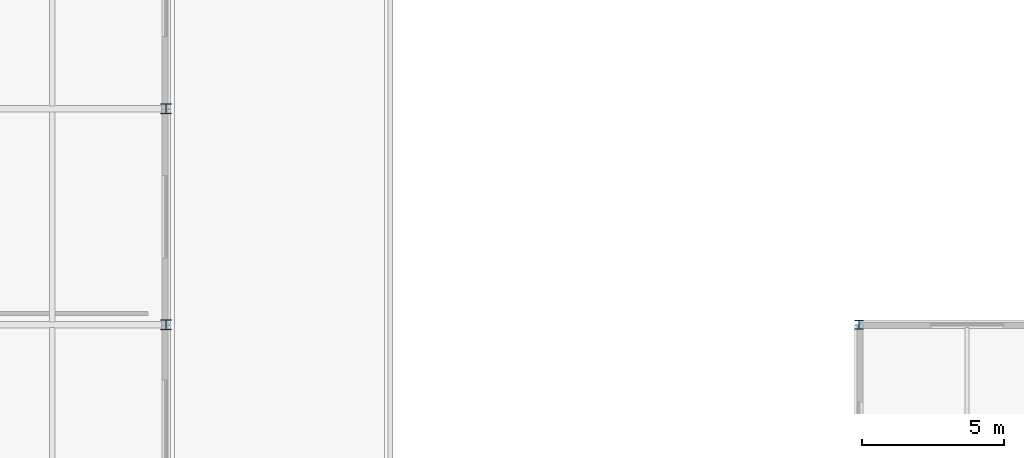
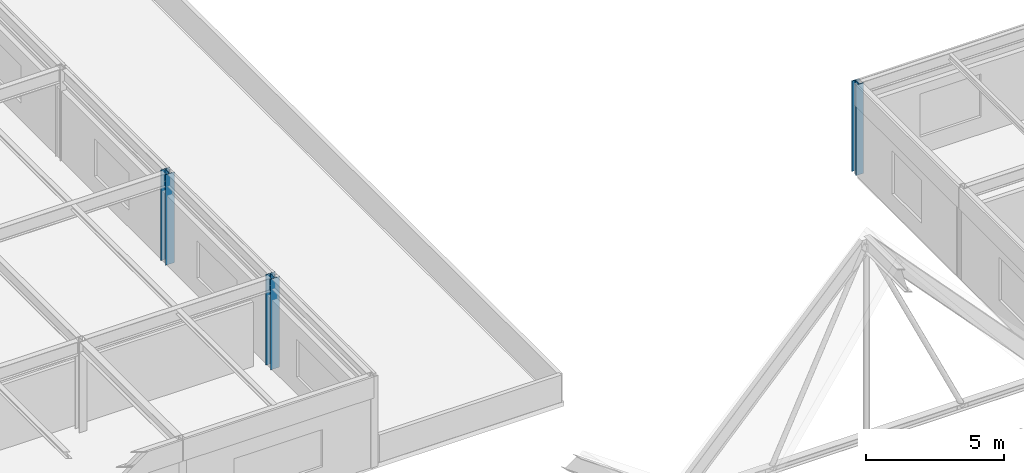
# One storey, part 10 of 85: 3 columns.
"""IFC4 building model written with IfcOpenShell, lengths in metres."""

import ifcopenshell
import ifcopenshell.guid

model = None  # the IFC model being written
_history = None  # IfcOwnerHistory: only IFC2X3 demands one
_inside = {}  # id of a spatial element -> (the spatial element, [elements in it])
_under = {}  # id of a project, library or spatial element -> (it, [spatial elements below it])
_declared = {}  # id of a project -> (the project, [libraries it declares])
_typed = {}  # id of a type object -> (the type object, [elements of that type])
_made_of = {}  # id of a material, layer set ... -> (it, [elements and type objects made of it])


def new_model(schema):
    """Start an empty IFC model of exactly this schema.

    Asked for "IFC4X3", IfcOpenShell would pick the latest addendum, in which some entities
    have other attributes; the version numbers below select the first issue.
    IFC2X3 requires an IfcOwnerHistory on every rooted entity: one is made here for all.
    """
    global model, _history
    if schema == "IFC4X3":
        model = ifcopenshell.file(schema_version=(4, 3, 0, 0))
    else:
        model = ifcopenshell.file(schema=schema)
    _inside.clear()
    _under.clear()
    _declared.clear()
    _typed.clear()
    _made_of.clear()
    _history = None
    if model.schema == "IFC2X3":
        org = make("IfcOrganization", Name="unknown")
        user = make(
            "IfcPersonAndOrganization",
            ThePerson=make("IfcPerson", FamilyName="unknown"),
            TheOrganization=org,
        )
        app = make(
            "IfcApplication",
            ApplicationDeveloper=org,
            Version="unknown",
            ApplicationFullName="unknown",
            ApplicationIdentifier="unknown",
        )
        _history = make(
            "IfcOwnerHistory",
            OwningUser=user,
            OwningApplication=app,
            ChangeAction="ADDED",
            CreationDate=0,
        )
    return model


def make(cls, **values):
    """One entity of the class cls with the attributes given. An attribute that is None is left unset."""
    return model.create_entity(
        cls, **{name: value for name, value in values.items() if value is not None}
    )


def rooted(cls, **values):
    """An entity with a GlobalId (a new one), such as an element, a storey or a relation."""
    return make(cls, GlobalId=ifcopenshell.guid.new(), OwnerHistory=_history, **values)


def si_unit(unit_type, name, prefix=None):
    """IfcSIUnit, for example si_unit("LENGTHUNIT", "METRE", prefix="MILLI")."""
    return make("IfcSIUnit", UnitType=unit_type, Prefix=prefix, Name=name)


def assignment(units):
    """IfcUnitAssignment: the units of a project."""
    return None if units is None else make("IfcUnitAssignment", Units=units)


def point(xyz):
    """IfcCartesianPoint."""
    return None if xyz is None else make("IfcCartesianPoint", Coordinates=xyz)


def direction(xyz):
    """IfcDirection."""
    return None if xyz is None else make("IfcDirection", DirectionRatios=xyz)


def frame(location, z_axis=None, x_axis=None):
    """IfcAxis2Placement3D, a coordinate frame: its origin and axes. An axis left out is left unset."""
    return make(
        "IfcAxis2Placement3D",
        Location=point(location),
        Axis=direction(z_axis),
        RefDirection=direction(x_axis),
    )


def frame_2d(location, x_axis=None):
    """IfcAxis2Placement2D, a coordinate frame in the plane: its origin and x axis."""
    return make(
        "IfcAxis2Placement2D", Location=point(location), RefDirection=direction(x_axis)
    )


def origin():
    """The frame at (0, 0, 0) with its axes left unset."""
    return frame((0.0, 0.0, 0.0))


def origin_2d():
    """The frame at (0, 0) in the plane with its x axis left unset."""
    return frame_2d((0.0, 0.0))


def place(relative_to, where):
    """IfcLocalPlacement: puts the frame where relative to a parent placement (None: the world)."""
    return make(
        "IfcLocalPlacement", PlacementRelTo=relative_to, RelativePlacement=where
    )


def context(
    kind, dimensions, precision=None, world=None, true_north=None, identifier=None
):
    """IfcGeometricRepresentationContext, for example the 3D "Model" context."""
    return make(
        "IfcGeometricRepresentationContext",
        ContextIdentifier=identifier,
        ContextType=kind,
        CoordinateSpaceDimension=dimensions,
        Precision=precision,
        WorldCoordinateSystem=world,
        TrueNorth=true_north,
    )


def subcontext(parent, identifier, kind, view, scale=None):
    """IfcGeometricRepresentationSubContext, for example "Body" below "Model"."""
    return make(
        "IfcGeometricRepresentationSubContext",
        ContextIdentifier=identifier,
        ContextType=kind,
        ParentContext=parent,
        TargetScale=scale,
        TargetView=view,
    )


def project(units=None, contexts=None):
    """IfcProject with its units and contexts."""
    return rooted(
        "IfcProject",
        Name="project",
        RepresentationContexts=contexts,
        UnitsInContext=assignment(units),
    )


def spatial(cls, under=None, at=None, **own):
    """A site, building, storey or space (cls), placed at a placement, below another one or the project."""
    s = rooted(cls, ObjectPlacement=at, **own)
    if under is not None:
        _under.setdefault(under.id(), (under, []))[1].append(s)
    return s


def profile(cls, at=None, kind="AREA", **sizes):
    """A parametric profile (cls). Its sizes go by their IFC names, for example OverallWidth=200.0."""
    return make(cls, ProfileType=kind, Position=at, **sizes)


def i_section(**sizes):
    """IfcIShapeProfileDef."""
    return profile("IfcIShapeProfileDef", **sizes)


def extrude(swept, where, along, depth):
    """IfcExtrudedAreaSolid: the profile swept, set in the frame where, extruded along a direction by depth."""
    return make(
        "IfcExtrudedAreaSolid",
        SweptArea=swept,
        Position=where,
        ExtrudedDirection=direction(along),
        Depth=depth,
    )


def shape(context_of_items, identifier, shape_type, items):
    """IfcShapeRepresentation: the items that make up one representation, for example the "Body"."""
    return make(
        "IfcShapeRepresentation",
        ContextOfItems=context_of_items,
        RepresentationIdentifier=identifier,
        RepresentationType=shape_type,
        Items=items,
    )


def material(Name=None, Category=None):
    """IfcMaterial."""
    return make("IfcMaterial", Name=Name, Category=Category)


def material_profile(
    of_material, cross_section, Name=None, Category=None, Priority=None
):
    """IfcMaterialProfile: a cross section and its material."""
    return make(
        "IfcMaterialProfile",
        Name=Name,
        Material=of_material,
        Profile=cross_section,
        Priority=Priority,
        Category=Category,
    )


def profile_set(profiles, Name=None, composite=None):
    """IfcMaterialProfileSet."""
    return make(
        "IfcMaterialProfileSet",
        Name=Name,
        MaterialProfiles=profiles,
        CompositeProfile=composite,
    )


def made_of(thing, what):
    """Note that an element or type object is made of a material, layer set ...; save() writes the relation."""
    if what is not None:
        _made_of.setdefault(what.id(), (what, []))[1].append(thing)
    return thing


def type_object(cls, material=None, **own):
    """A type object (cls), such as IfcWallType, which elements share."""
    return made_of(rooted(cls, **own), material)


def element(
    cls,
    number,
    at=None,
    inside=None,
    cuts=None,
    type_object=None,
    material=None,
    context=None,
    identifier="Body",
    shape_type=None,
    held_by="IfcProductDefinitionShape",
    body=None,
    shapes=None,
    **own,
):
    """One element of the class cls, such as IfcWall. Its Tag is "e" and its number.

    at: its placement. inside: the storey or other place that contains it. cuts: it is an
    opening in that element (IfcRelVoidsElement). A single representation is given by context,
    identifier, shape_type and body (its items); several are given by shapes. held_by: the class
    of the entity that holds the representations. save() writes the other relations.
    """
    e = rooted(cls, Tag="e%d" % number, ObjectPlacement=at, **own)
    if body is not None:
        shapes = [shape(context, identifier, shape_type, body)]
    if shapes is not None:
        e.Representation = make(held_by, Representations=shapes)
    if inside is not None:
        _inside.setdefault(inside.id(), (inside, []))[1].append(e)
    if cuts is not None:
        rooted(
            "IfcRelVoidsElement", RelatingBuildingElement=cuts, RelatedOpeningElement=e
        )
    if type_object is not None:
        _typed.setdefault(type_object.id(), (type_object, []))[1].append(e)
    return made_of(e, material)


def aggregate(whole, parts):
    """IfcRelAggregates: a whole, such as a stair, and the parts it consists of."""
    return rooted("IfcRelAggregates", RelatingObject=whole, RelatedObjects=parts)


def save(model, path):
    """Write the relations noted so far, then the file.

    IfcRelAggregates (storeys below a building ...), IfcRelContainedInSpatialStructure (elements
    in a storey), IfcRelDefinesByType, IfcRelAssociatesMaterial and IfcRelDeclares: one each for
    every whole, place, type object, material and project.
    """
    for whole, parts in _under.values():
        aggregate(whole, parts)
    for where, things in _inside.values():
        rooted(
            "IfcRelContainedInSpatialStructure",
            RelatedElements=things,
            RelatingStructure=where,
        )
    for kind, things in _typed.values():
        rooted("IfcRelDefinesByType", RelatedObjects=things, RelatingType=kind)
    for what, things in _made_of.values():
        rooted("IfcRelAssociatesMaterial", RelatedObjects=things, RelatingMaterial=what)
    for by, libraries in _declared.values():
        rooted("IfcRelDeclares", RelatingContext=by, RelatedDefinitions=libraries)
    model.write(path)


model = new_model("IFC4")

# Units and contexts
model_context = context("Model", 3, precision=1e-05, world=origin(), true_north=direction((0.0, 1.0)))
body_context = subcontext(model_context, "Body", "Model", "MODEL_VIEW")
ifc_project = project(units=[si_unit("LENGTHUNIT", "METRE"), si_unit("AREAUNIT", "SQUARE_METRE"), si_unit("VOLUMEUNIT", "CUBIC_METRE"), si_unit("PLANEANGLEUNIT", "RADIAN"), si_unit("MASSUNIT", "GRAM", prefix="KILO")], contexts=[model_context])

# Site, building, storey
site_placement = place(None, origin())
site = spatial("IfcSite", under=ifc_project, at=site_placement, CompositionType="ELEMENT")
building_placement = place(site_placement, origin())
building = spatial("IfcBuilding", under=site, at=building_placement, Name="Zulena Civic Courthouse", CompositionType="ELEMENT")
storey_placement = place(building_placement, frame((0.0, 0.0, 25.199951171875)))
storey = spatial("IfcBuildingStorey", under=building, at=storey_placement, Name="L05", CompositionType="ELEMENT", Elevation=25.199951171875)

# Columns
ifc_material = material(Name="Steel ASTM A992 Grade 50", Category="steel")
ifc_material_profile_1 = material_profile(ifc_material, i_section(OverallWidth=0.30908203125, OverallDepth=0.322998046875, WebThickness=0.013916015625, FlangeThickness=0.02294921875, FilletRadius=0.01513671875, at=origin_2d()), Name="W12X96")
ifc_profile_set_1 = profile_set([ifc_material_profile_1], Name="Steel ASTM A992 Grade 50")
column_type_1 = type_object("IfcColumnType", Name="Col_W12X96", PredefinedType="COLUMN", material=ifc_profile_set_1)
column_placement = place(storey_placement, frame((124.39990234375, 53.199951171875, 0.0), z_axis=(0.0, 0.0, 1.0), x_axis=(1.0, 0.0, 0.0)))
element("IfcColumn", 1, at=column_placement, inside=storey, type_object=column_type_1, Name="col:V3:L05:124.4:53.2", PredefinedType="COLUMN", context=body_context, shape_type="SweptSolid", body=[
    extrude(i_section(OverallWidth=0.30908203125, OverallDepth=0.322998046875, WebThickness=0.013916015625, FlangeThickness=0.02294921875, FilletRadius=0.01513671875, at=origin_2d()), origin(), (0.0, 0.0, 1.0), 3.9951171875),
])
ifc_material_profile_2 = material_profile(ifc_material, i_section(OverallWidth=0.3701171875, OverallDepth=0.360107421875, WebThickness=0.01220703125, FlangeThickness=0.019775390625, FilletRadius=0.01513671875, at=origin_2d()), Name="W14X99")
ifc_profile_set_2 = profile_set([ifc_material_profile_2], Name="Steel ASTM A992 Grade 50")
column_type_2 = type_object("IfcColumnType", Name="Col_W14X99", PredefinedType="COLUMN", material=ifc_profile_set_2)
for number, where, z_axis, x_axis, name in (
    (2, (100.0, 53.199951171875, 0.0), (0.0, 0.0, 1.0), (1.0, 0.0, 0.0), "col:V5:L05:100.0:53.2"),
    (3, (100.0, 60.800048828125, 0.0), (0.0, 0.0, 1.0), (1.0, 0.0, 0.0), "col:V5:L05:100.0:60.8"),
):
    element("IfcColumn", number, at=place(storey_placement, frame(where, z_axis=z_axis, x_axis=x_axis)), inside=storey, type_object=column_type_2, Name=name, PredefinedType="COLUMN", context=body_context, shape_type="SweptSolid", body=[
        extrude(i_section(OverallWidth=0.3701171875, OverallDepth=0.360107421875, WebThickness=0.01220703125, FlangeThickness=0.019775390625, FilletRadius=0.01513671875, at=origin_2d()), origin(), (0.0, 0.0, 1.0), 3.9951171875),
    ])

save(model, "model.ifc")
